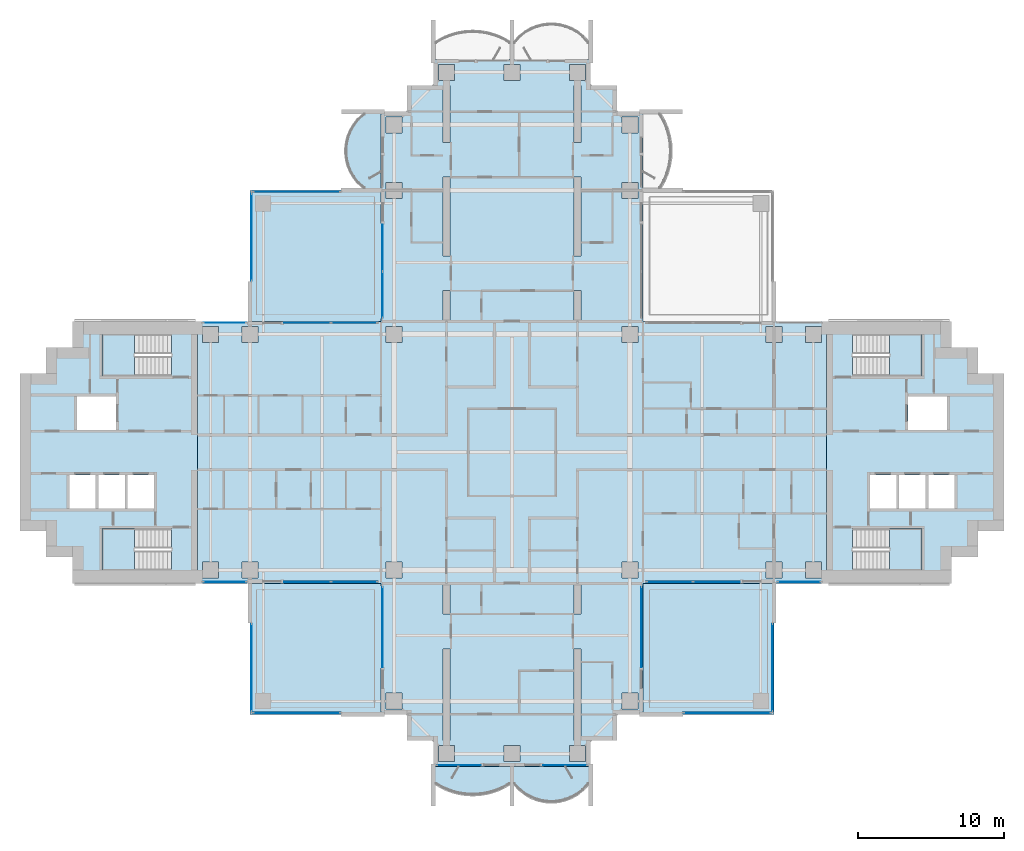
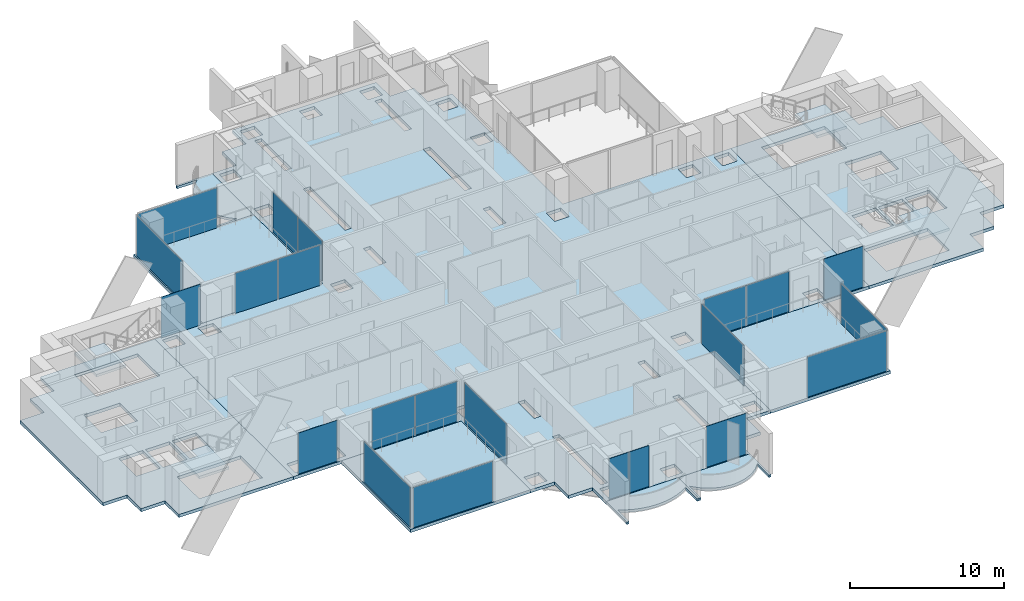
# One storey, part 7 of 19: 21 plates, 13 slabs, 21 elements without a shape of their own.
"""IFC4 building model written with IfcOpenShell, lengths in metres."""

from ifc_helpers import new_model, si_unit, direction, frame, origin, origin_2d, place, context, subcontext, project, spatial, polyline, rectangle, outline, extrude, material, layer, layer_set, type_object, element, aggregate, save


model = new_model("IFC4")

# Units and contexts
model_context = context("Model", 3, precision=1e-05, world=origin(), true_north=direction((0.0, 1.0)))
body_context = subcontext(model_context, "Body", "Model", "MODEL_VIEW")
ifc_project = project(units=[si_unit("LENGTHUNIT", "METRE"), si_unit("AREAUNIT", "SQUARE_METRE"), si_unit("VOLUMEUNIT", "CUBIC_METRE"), si_unit("PLANEANGLEUNIT", "RADIAN"), si_unit("MASSUNIT", "GRAM", prefix="KILO")], contexts=[model_context])

# Site, building, storey
site_placement = place(None, origin())
site = spatial("IfcSite", under=ifc_project, at=site_placement, CompositionType="ELEMENT")
building_placement = place(site_placement, origin())
building = spatial("IfcBuilding", under=site, at=building_placement, Name="Perihelion Cross Residences", CompositionType="ELEMENT")
storey_placement = place(building_placement, frame((0.0, 0.0, 147.89990234375)))
storey = spatial("IfcBuildingStorey", under=building, at=storey_placement, Name="L36", CompositionType="ELEMENT", Elevation=147.89990234375)

# Slabs
ifc_material_1 = material(Name="Concrete C40/50", Category="concrete")
ifc_layer_1 = layer(ifc_material_1, 0.199951171875)
ifc_layer_set_1 = layer_set([ifc_layer_1], Name="Balcony slab 200")
slab_type_1 = type_object("IfcSlabType", Name="Balcony slab 200", PredefinedType="FLOOR", material=ifc_layer_set_1)
slab_1_placement = place(storey_placement, frame((0.0, 0.0, -0.199951171875)))
element("IfcSlab", 1, at=slab_1_placement, inside=storey, type_object=slab_type_1, Name="Slab BK1 L36 north side west bay 1 balcony", PredefinedType="FLOOR", context=body_context, shape_type="SweptSolid", body=[
    extrude(outline(polyline([(-9.0, 23.39990234375), (-9.0, 18.0), (-11.699951171875, 18.0), (-11.699951171875, 18.14990234375), (-10.199951171875, 18.14990234375), (-10.622314453125, 18.542236328125), (-10.924072265625, 18.9345703125), (-11.143310546875, 19.326904296875), (-11.29736328125, 19.71923828125), (-11.39599609375, 20.111572265625), (-11.444091796875, 20.50390625), (-11.444091796875, 20.896240234375), (-11.39599609375, 21.28857421875), (-11.29736328125, 21.6806640625), (-11.143310546875, 22.072998046875), (-10.924072265625, 22.46533203125), (-10.622314453125, 22.857666015625), (-10.199951171875, 23.25), (-11.699951171875, 23.25), (-11.699951171875, 23.39990234375), (-9.0, 23.39990234375)])), origin(), (0.0, 0.0, 1.0), 0.199951171875),
])
slab_2_placement = place(storey_placement, frame((0.0, 0.0, -0.199951171875)))
element("IfcSlab", 2, at=slab_2_placement, inside=storey, type_object=slab_type_1, Name="Slab BK1 L36 south tip south bay 1 balcony", PredefinedType="FLOOR", context=body_context, shape_type="SweptSolid", body=[
    extrude(outline(polyline([(-5.39990234375, -21.60009765625), (0.0, -21.60009765625), (0.0, -24.300048828125), (-0.14990234375, -24.300048828125), (-0.14990234375, -22.800048828125), (-0.659912109375, -23.085205078125), (-1.169921875, -23.294677734375), (-1.679931640625, -23.438232421875), (-2.18994140625, -23.522216796875), (-2.699951171875, -23.550048828125), (-3.2099609375, -23.522216796875), (-3.719970703125, -23.438232421875), (-4.22998046875, -23.294677734375), (-4.739990234375, -23.085205078125), (-5.25, -22.800048828125), (-5.25, -24.300048828125), (-5.39990234375, -24.300048828125), (-5.39990234375, -21.60009765625)])), origin(), (0.0, 0.0, 1.0), 0.199951171875),
])
slab_3_placement = place(storey_placement, frame((0.0, 0.0, -0.199951171875)))
element("IfcSlab", 3, at=slab_3_placement, inside=storey, type_object=slab_type_1, Name="Slab BK1 L36 south tip south bay 2 balcony", PredefinedType="FLOOR", context=body_context, shape_type="SweptSolid", body=[
    extrude(outline(polyline([(0.0, -21.60009765625), (5.39990234375, -21.60009765625), (5.39990234375, -24.300048828125), (5.25, -24.300048828125), (5.25, -22.800048828125), (4.857666015625, -23.22216796875), (4.46533203125, -23.524169921875), (4.072998046875, -23.7431640625), (3.6806640625, -23.897216796875), (3.28857421875, -23.995849609375), (2.896240234375, -24.0439453125), (2.50390625, -24.0439453125), (2.111572265625, -23.995849609375), (1.71923828125, -23.897216796875), (1.326904296875, -23.7431640625), (0.9345703125, -23.524169921875), (0.542236328125, -23.22216796875), (0.14990234375, -22.800048828125), (0.14990234375, -24.300048828125), (0.0, -24.300048828125), (0.0, -21.60009765625)])), origin(), (0.0, 0.0, 1.0), 0.199951171875),
])

# Curtain wall, plates
ifc_material_2 = material(Name="Bronze anodised aluminium, tinted glazing", Category="aluminium")
curtain_wall_type_1 = type_object("IfcCurtainWallType", Name="CW1", PredefinedType="NOTDEFINED", material=ifc_material_2)
curtain_wall_1_placement = place(storey_placement, origin())
curtain_wall_1 = element("IfcCurtainWall", 4, at=curtain_wall_1_placement, inside=storey, type_object=curtain_wall_type_1, Name="Curtain wall CW1 L36 north side west bay 2", PredefinedType="NOTDEFINED")
ifc_material_3 = material(Name="Tinted laminated glass", Category="glass")
ifc_layer_2 = layer(ifc_material_3, 0.028076171875)
ifc_layer_set_2 = layer_set([ifc_layer_2], Name="CW1 panel")
plate_type_1 = type_object("IfcPlateType", Name="CW1 panel", PredefinedType="CURTAIN_PANEL", material=ifc_layer_set_2)
plate_1_placement = place(storey_placement, frame((-8.89990234375, 14.052490234375, 0.000244140625), z_axis=(0.0, 0.0, 1.0), x_axis=(0.0, -1.0, 0.0)))
plate_1 = element("IfcPlate", 5, at=plate_1_placement, type_object=plate_type_1, Name="CW1 panel 1", PredefinedType="CURTAIN_PANEL", context=body_context, shape_type="SweptSolid", body=[
    extrude(rectangle(XDim=3.195068359375, YDim=0.028076171875, at=origin_2d()), origin(), (0.0, 0.0, 1.0), 3.18994140625),
])
plate_2_placement = place(storey_placement, frame((-8.89990234375, 10.827392578125, 0.000244140625), z_axis=(0.0, 0.0, 1.0), x_axis=(0.0, -1.0, 0.0)))
plate_2 = element("IfcPlate", 6, at=plate_2_placement, type_object=plate_type_1, Name="CW1 panel 2", PredefinedType="CURTAIN_PANEL", context=body_context, shape_type="SweptSolid", body=[
    extrude(rectangle(XDim=3.135009765625, YDim=0.028076171875, at=origin_2d()), origin(), (0.0, 0.0, 1.0), 3.18994140625),
])
aggregate(curtain_wall_1, [plate_1, plate_2])

curtain_wall_2_placement = place(storey_placement, origin())
curtain_wall_2 = element("IfcCurtainWall", 7, at=curtain_wall_2_placement, inside=storey, type_object=curtain_wall_type_1, Name="Curtain wall CW1 L36 west side north bay 1", PredefinedType="NOTDEFINED")
plate_3_placement = place(storey_placement, frame((-10.827392578125, 8.89990234375, 0.000244140625), z_axis=(0.0, 0.0, 1.0), x_axis=(-1.0, 0.0, 0.0)))
plate_3 = element("IfcPlate", 8, at=plate_3_placement, type_object=plate_type_1, Name="CW1 panel 1", PredefinedType="CURTAIN_PANEL", context=body_context, shape_type="SweptSolid", body=[
    extrude(rectangle(XDim=3.135009765625, YDim=0.028076171875, at=origin_2d()), origin(), (0.0, 0.0, 1.0), 3.18994140625),
])
plate_4_placement = place(storey_placement, frame((-14.052490234375, 8.89990234375, 0.000244140625), z_axis=(0.0, 0.0, 1.0), x_axis=(-1.0, 0.0, 0.0)))
plate_4 = element("IfcPlate", 9, at=plate_4_placement, type_object=plate_type_1, Name="CW1 panel 2", PredefinedType="CURTAIN_PANEL", context=body_context, shape_type="SweptSolid", body=[
    extrude(rectangle(XDim=3.195068359375, YDim=0.028076171875, at=origin_2d()), origin(), (0.0, 0.0, 1.0), 3.18994140625),
])
aggregate(curtain_wall_2, [plate_3, plate_4])

# Curtain wall, plate
curtain_wall_3_placement = place(storey_placement, origin())
curtain_wall_3 = element("IfcCurtainWall", 10, at=curtain_wall_3_placement, inside=storey, type_object=curtain_wall_type_1, Name="Curtain wall CW1 L36 west side north bay 2", PredefinedType="NOTDEFINED")
plate_5_placement = place(storey_placement, frame((-19.72509765625, 8.89990234375, 0.0), z_axis=(0.0, 0.0, 1.0), x_axis=(-1.0, 0.0, 0.0)))
plate_5 = element("IfcPlate", 11, at=plate_5_placement, type_object=plate_type_1, Name="CW1 panel 1", PredefinedType="CURTAIN_PANEL", context=body_context, shape_type="SweptSolid", body=[
    extrude(rectangle(XDim=2.929931640625, YDim=0.028076171875, at=origin_2d()), origin(), (0.0, 0.0, 1.0), 3.25),
])
aggregate(curtain_wall_3, [plate_5])

curtain_wall_4_placement = place(storey_placement, origin())
curtain_wall_4 = element("IfcCurtainWall", 12, at=curtain_wall_4_placement, inside=storey, type_object=curtain_wall_type_1, Name="Curtain wall CW1 L36 west side south bay 1", PredefinedType="NOTDEFINED")
plate_6_placement = place(storey_placement, frame((-19.72509765625, -8.89990234375, 0.0), z_axis=(0.0, 0.0, 1.0), x_axis=(1.0, 0.0, 0.0)))
plate_6 = element("IfcPlate", 13, at=plate_6_placement, type_object=plate_type_1, Name="CW1 panel 1", PredefinedType="CURTAIN_PANEL", context=body_context, shape_type="SweptSolid", body=[
    extrude(rectangle(XDim=2.929931640625, YDim=0.028076171875, at=origin_2d()), origin(), (0.0, 0.0, 1.0), 3.25),
])
aggregate(curtain_wall_4, [plate_6])

# Curtain wall, plates
curtain_wall_5_placement = place(storey_placement, origin())
curtain_wall_5 = element("IfcCurtainWall", 14, at=curtain_wall_5_placement, inside=storey, type_object=curtain_wall_type_1, Name="Curtain wall CW1 L36 west side south bay 2", PredefinedType="NOTDEFINED")
plate_7_placement = place(storey_placement, frame((-14.052490234375, -8.89990234375, 0.000244140625), z_axis=(0.0, 0.0, 1.0), x_axis=(1.0, 0.0, 0.0)))
plate_7 = element("IfcPlate", 15, at=plate_7_placement, type_object=plate_type_1, Name="CW1 panel 1", PredefinedType="CURTAIN_PANEL", context=body_context, shape_type="SweptSolid", body=[
    extrude(rectangle(XDim=3.195068359375, YDim=0.028076171875, at=origin_2d()), origin(), (0.0, 0.0, 1.0), 3.18994140625),
])
plate_8_placement = place(storey_placement, frame((-10.827392578125, -8.89990234375, 0.000244140625), z_axis=(0.0, 0.0, 1.0), x_axis=(1.0, 0.0, 0.0)))
plate_8 = element("IfcPlate", 16, at=plate_8_placement, type_object=plate_type_1, Name="CW1 panel 2", PredefinedType="CURTAIN_PANEL", context=body_context, shape_type="SweptSolid", body=[
    extrude(rectangle(XDim=3.135009765625, YDim=0.028076171875, at=origin_2d()), origin(), (0.0, 0.0, 1.0), 3.18994140625),
])
aggregate(curtain_wall_5, [plate_7, plate_8])

# Curtain wall, plate
curtain_wall_6_placement = place(storey_placement, origin())
curtain_wall_6 = element("IfcCurtainWall", 17, at=curtain_wall_6_placement, inside=storey, type_object=curtain_wall_type_1, Name="Curtain wall CW1 L36 south side west bay 1", PredefinedType="NOTDEFINED")
plate_9_placement = place(storey_placement, frame((-8.89990234375, -12.0048828125, 0.000244140625), z_axis=(0.0, 0.0, 1.0), x_axis=(0.0, -1.0, 0.0)))
plate_9 = element("IfcPlate", 18, at=plate_9_placement, type_object=plate_type_1, Name="CW1 panel 1", PredefinedType="CURTAIN_PANEL", context=body_context, shape_type="SweptSolid", body=[
    extrude(rectangle(XDim=5.489990234375, YDim=0.028076171875, at=origin_2d()), origin(), (0.0, 0.0, 1.0), 3.18994140625),
])
aggregate(curtain_wall_6, [plate_9])

curtain_wall_7_placement = place(storey_placement, origin())
curtain_wall_7 = element("IfcCurtainWall", 19, at=curtain_wall_7_placement, inside=storey, type_object=curtain_wall_type_1, Name="Curtain wall CW1 L36 south tip south bay 1", PredefinedType="NOTDEFINED")
plate_10_placement = place(storey_placement, frame((-3.64501953125, -21.5, 0.0), z_axis=(0.0, 0.0, 1.0), x_axis=(1.0, 0.0, 0.0)))
plate_10 = element("IfcPlate", 20, at=plate_10_placement, type_object=plate_type_1, Name="CW1 panel 1", PredefinedType="CURTAIN_PANEL", context=body_context, shape_type="SweptSolid", body=[
    extrude(rectangle(XDim=2.989990234375, YDim=0.028076171875, at=origin_2d()), origin(), (0.0, 0.0, 1.0), 3.25),
])
aggregate(curtain_wall_7, [plate_10])

curtain_wall_8_placement = place(storey_placement, origin())
curtain_wall_8 = element("IfcCurtainWall", 21, at=curtain_wall_8_placement, inside=storey, type_object=curtain_wall_type_1, Name="Curtain wall CW1 L36 south tip south bay 2", PredefinedType="NOTDEFINED")
plate_11_placement = place(storey_placement, frame((3.64501953125, -21.5, 0.0), z_axis=(0.0, 0.0, 1.0), x_axis=(1.0, 0.0, 0.0)))
plate_11 = element("IfcPlate", 22, at=plate_11_placement, type_object=plate_type_1, Name="CW1 panel 1", PredefinedType="CURTAIN_PANEL", context=body_context, shape_type="SweptSolid", body=[
    extrude(rectangle(XDim=2.989990234375, YDim=0.028076171875, at=origin_2d()), origin(), (0.0, 0.0, 1.0), 3.25),
])
aggregate(curtain_wall_8, [plate_11])

curtain_wall_9_placement = place(storey_placement, origin())
curtain_wall_9 = element("IfcCurtainWall", 23, at=curtain_wall_9_placement, inside=storey, type_object=curtain_wall_type_1, Name="Curtain wall CW1 L36 south side east bay 1", PredefinedType="NOTDEFINED")
plate_12_placement = place(storey_placement, frame((8.89990234375, -12.0048828125, 0.000244140625), z_axis=(0.0, 0.0, 1.0), x_axis=(0.0, 1.0, 0.0)))
plate_12 = element("IfcPlate", 24, at=plate_12_placement, type_object=plate_type_1, Name="CW1 panel 1", PredefinedType="CURTAIN_PANEL", context=body_context, shape_type="SweptSolid", body=[
    extrude(rectangle(XDim=5.489990234375, YDim=0.028076171875, at=origin_2d()), origin(), (0.0, 0.0, 1.0), 3.18994140625),
])
aggregate(curtain_wall_9, [plate_12])

# Curtain wall, plates
curtain_wall_10_placement = place(storey_placement, origin())
curtain_wall_10 = element("IfcCurtainWall", 25, at=curtain_wall_10_placement, inside=storey, type_object=curtain_wall_type_1, Name="Curtain wall CW1 L36 east side south bay 1", PredefinedType="NOTDEFINED")
plate_13_placement = place(storey_placement, frame((10.827392578125, -8.89990234375, 0.000244140625), z_axis=(0.0, 0.0, 1.0), x_axis=(1.0, 0.0, 0.0)))
plate_13 = element("IfcPlate", 26, at=plate_13_placement, type_object=plate_type_1, Name="CW1 panel 1", PredefinedType="CURTAIN_PANEL", context=body_context, shape_type="SweptSolid", body=[
    extrude(rectangle(XDim=3.135009765625, YDim=0.028076171875, at=origin_2d()), origin(), (0.0, 0.0, 1.0), 3.18994140625),
])
plate_14_placement = place(storey_placement, frame((14.052490234375, -8.89990234375, 0.000244140625), z_axis=(0.0, 0.0, 1.0), x_axis=(1.0, 0.0, 0.0)))
plate_14 = element("IfcPlate", 27, at=plate_14_placement, type_object=plate_type_1, Name="CW1 panel 2", PredefinedType="CURTAIN_PANEL", context=body_context, shape_type="SweptSolid", body=[
    extrude(rectangle(XDim=3.195068359375, YDim=0.028076171875, at=origin_2d()), origin(), (0.0, 0.0, 1.0), 3.18994140625),
])
aggregate(curtain_wall_10, [plate_13, plate_14])

# Curtain wall, plate
curtain_wall_11_placement = place(storey_placement, origin())
curtain_wall_11 = element("IfcCurtainWall", 28, at=curtain_wall_11_placement, inside=storey, type_object=curtain_wall_type_1, Name="Curtain wall CW1 L36 east side south bay 2", PredefinedType="NOTDEFINED")
plate_15_placement = place(storey_placement, frame((19.72509765625, -8.89990234375, 0.0), z_axis=(0.0, 0.0, 1.0), x_axis=(1.0, 0.0, 0.0)))
plate_15 = element("IfcPlate", 29, at=plate_15_placement, type_object=plate_type_1, Name="CW1 panel 1", PredefinedType="CURTAIN_PANEL", context=body_context, shape_type="SweptSolid", body=[
    extrude(rectangle(XDim=2.929931640625, YDim=0.028076171875, at=origin_2d()), origin(), (0.0, 0.0, 1.0), 3.25),
])
aggregate(curtain_wall_11, [plate_15])

ifc_material_4 = material(Name="Bronze anodised aluminium, tinted glazing", Category="aluminium")
curtain_wall_type_2 = type_object("IfcCurtainWallType", Name="CW4", PredefinedType="NOTDEFINED", material=ifc_material_4)
curtain_wall_12_placement = place(storey_placement, origin())
curtain_wall_12 = element("IfcCurtainWall", 30, at=curtain_wall_12_placement, inside=storey, type_object=curtain_wall_type_2, Name="Curtain wall CW4 L36 pocket north-west 1 1", PredefinedType="NOTDEFINED")
ifc_material_5 = material(Name="Tinted laminated glass", Category="glass")
ifc_layer_3 = layer(ifc_material_5, 0.030029296875)
ifc_layer_set_3 = layer_set([ifc_layer_3], Name="CW4 panel")
plate_type_2 = type_object("IfcPlateType", Name="CW4 panel", PredefinedType="CURTAIN_PANEL", material=ifc_layer_set_3)
plate_16_placement = place(storey_placement, frame((-17.89990234375, 14.784912109375, 0.000244140625), z_axis=(0.0, 0.0, 1.0), x_axis=(0.0, 1.0, 0.0)))
plate_16 = element("IfcPlate", 31, at=plate_16_placement, type_object=plate_type_2, Name="CW4 panel 1", PredefinedType="CURTAIN_PANEL", context=body_context, shape_type="SweptSolid", body=[
    extrude(rectangle(XDim=5.969970703125, YDim=0.030029296875, at=origin_2d()), origin(), (0.0, 0.0, 1.0), 3.18994140625),
])
aggregate(curtain_wall_12, [plate_16])

curtain_wall_13_placement = place(storey_placement, origin())
curtain_wall_13 = element("IfcCurtainWall", 32, at=curtain_wall_13_placement, inside=storey, type_object=curtain_wall_type_2, Name="Curtain wall CW4 L36 pocket north-west 1 2", PredefinedType="NOTDEFINED")
plate_17_placement = place(storey_placement, frame((-14.784912109375, 17.89990234375, 0.000244140625), z_axis=(0.0, 0.0, 1.0), x_axis=(1.0, 0.0, 0.0)))
plate_17 = element("IfcPlate", 33, at=plate_17_placement, type_object=plate_type_2, Name="CW4 panel 1", PredefinedType="CURTAIN_PANEL", context=body_context, shape_type="SweptSolid", body=[
    extrude(rectangle(XDim=5.969970703125, YDim=0.030029296875, at=origin_2d()), origin(), (0.0, 0.0, 1.0), 3.18994140625),
])
aggregate(curtain_wall_13, [plate_17])

curtain_wall_14_placement = place(storey_placement, origin())
curtain_wall_14 = element("IfcCurtainWall", 34, at=curtain_wall_14_placement, inside=storey, type_object=curtain_wall_type_2, Name="Curtain wall CW4 L36 pocket south-east 1 1", PredefinedType="NOTDEFINED")
plate_18_placement = place(storey_placement, frame((17.89990234375, -14.784912109375, 0.000244140625), z_axis=(0.0, 0.0, 1.0), x_axis=(0.0, -1.0, 0.0)))
plate_18 = element("IfcPlate", 35, at=plate_18_placement, type_object=plate_type_2, Name="CW4 panel 1", PredefinedType="CURTAIN_PANEL", context=body_context, shape_type="SweptSolid", body=[
    extrude(rectangle(XDim=5.969970703125, YDim=0.030029296875, at=origin_2d()), origin(), (0.0, 0.0, 1.0), 3.18994140625),
])
aggregate(curtain_wall_14, [plate_18])

curtain_wall_15_placement = place(storey_placement, origin())
curtain_wall_15 = element("IfcCurtainWall", 36, at=curtain_wall_15_placement, inside=storey, type_object=curtain_wall_type_2, Name="Curtain wall CW4 L36 pocket south-east 1 2", PredefinedType="NOTDEFINED")
plate_19_placement = place(storey_placement, frame((14.784912109375, -17.89990234375, 0.000244140625), z_axis=(0.0, 0.0, 1.0), x_axis=(-1.0, 0.0, 0.0)))
plate_19 = element("IfcPlate", 37, at=plate_19_placement, type_object=plate_type_2, Name="CW4 panel 1", PredefinedType="CURTAIN_PANEL", context=body_context, shape_type="SweptSolid", body=[
    extrude(rectangle(XDim=5.969970703125, YDim=0.030029296875, at=origin_2d()), origin(), (0.0, 0.0, 1.0), 3.18994140625),
])
aggregate(curtain_wall_15, [plate_19])

curtain_wall_16_placement = place(storey_placement, origin())
curtain_wall_16 = element("IfcCurtainWall", 38, at=curtain_wall_16_placement, inside=storey, type_object=curtain_wall_type_2, Name="Curtain wall CW4 L36 pocket south-west 1 1", PredefinedType="NOTDEFINED")
plate_20_placement = place(storey_placement, frame((-14.784912109375, -17.89990234375, 0.000244140625), z_axis=(0.0, 0.0, 1.0), x_axis=(-1.0, 0.0, 0.0)))
plate_20 = element("IfcPlate", 39, at=plate_20_placement, type_object=plate_type_2, Name="CW4 panel 1", PredefinedType="CURTAIN_PANEL", context=body_context, shape_type="SweptSolid", body=[
    extrude(rectangle(XDim=5.969970703125, YDim=0.030029296875, at=origin_2d()), origin(), (0.0, 0.0, 1.0), 3.18994140625),
])
aggregate(curtain_wall_16, [plate_20])

curtain_wall_17_placement = place(storey_placement, origin())
curtain_wall_17 = element("IfcCurtainWall", 40, at=curtain_wall_17_placement, inside=storey, type_object=curtain_wall_type_2, Name="Curtain wall CW4 L36 pocket south-west 1 2", PredefinedType="NOTDEFINED")
plate_21_placement = place(storey_placement, frame((-17.89990234375, -14.784912109375, 0.000244140625), z_axis=(0.0, 0.0, 1.0), x_axis=(0.0, 1.0, 0.0)))
plate_21 = element("IfcPlate", 41, at=plate_21_placement, type_object=plate_type_2, Name="CW4 panel 1", PredefinedType="CURTAIN_PANEL", context=body_context, shape_type="SweptSolid", body=[
    extrude(rectangle(XDim=5.969970703125, YDim=0.030029296875, at=origin_2d()), origin(), (0.0, 0.0, 1.0), 3.18994140625),
])
aggregate(curtain_wall_17, [plate_21])

# Slabs
ifc_material_6 = material(Name="Concrete C40/50", Category="concrete")
ifc_layer_4 = layer(ifc_material_6, 0.25)
ifc_layer_set_4 = layer_set([ifc_layer_4], Name="Core floor slab 250")
slab_type_2 = type_object("IfcSlabType", Name="Core floor slab 250", PredefinedType="FLOOR", material=ifc_layer_set_4)
slab_4_placement = place(storey_placement, frame((0.0, 0.0, -0.25)))
element("IfcSlab", 42, at=slab_4_placement, inside=storey, type_object=slab_type_2, Name="East core floor slab", PredefinedType="FLOOR", context=body_context, shape_type="SweptSolid", body=[
    extrude(outline(polyline([(30.199951171875, 7.199951171875), (32.0, 7.199951171875), (32.0, 5.39990234375), (33.800048828125, 5.39990234375), (33.800048828125, -5.39990234375), (32.0, -5.39990234375), (32.0, -7.199951171875), (30.199951171875, -7.199951171875), (30.199951171875, -9.0), (21.60009765625, -9.0), (21.60009765625, 9.0), (30.199951171875, 9.0), (30.199951171875, 7.199951171875)]), holes=[polyline([(28.14990234375, -8.10009765625), (28.14990234375, -5.25), (23.405029296875, -5.25), (23.405029296875, -8.10009765625), (28.14990234375, -8.10009765625)]), polyline([(24.60009765625, -1.550048828125), (24.60009765625, -3.85009765625), (26.39990234375, -3.85009765625), (26.39990234375, -1.550048828125), (24.60009765625, -1.550048828125)]), polyline([(26.60009765625, -1.550048828125), (26.60009765625, -3.85009765625), (28.39990234375, -3.85009765625), (28.39990234375, -1.550048828125), (26.60009765625, -1.550048828125)]), polyline([(28.60009765625, -3.85009765625), (30.39990234375, -3.85009765625), (30.39990234375, -1.550048828125), (28.60009765625, -1.550048828125), (28.60009765625, -3.85009765625)]), polyline([(27.199951171875, 3.85009765625), (27.199951171875, 1.550048828125), (29.89990234375, 1.550048828125), (29.89990234375, 3.85009765625), (27.199951171875, 3.85009765625)]), polyline([(23.405029296875, 5.25), (28.14990234375, 5.25), (28.14990234375, 8.10009765625), (23.405029296875, 8.10009765625), (23.405029296875, 5.25)])]), origin(), (0.0, 0.0, 1.0), 0.25),
])
slab_5_placement = place(storey_placement, frame((0.0, 0.0, -0.25)))
element("IfcSlab", 43, at=slab_5_placement, inside=storey, type_object=slab_type_2, Name="West core floor slab", PredefinedType="FLOOR", context=body_context, shape_type="SweptSolid", body=[
    extrude(outline(polyline([(-30.199951171875, 7.199951171875), (-32.0, 7.199951171875), (-32.0, 5.39990234375), (-33.800048828125, 5.39990234375), (-33.800048828125, -5.39990234375), (-32.0, -5.39990234375), (-32.0, -7.199951171875), (-30.199951171875, -7.199951171875), (-30.199951171875, -9.0), (-21.60009765625, -9.0), (-21.60009765625, 9.0), (-30.199951171875, 9.0), (-30.199951171875, 7.199951171875)]), holes=[polyline([(-28.14990234375, -8.10009765625), (-28.14990234375, -5.25), (-23.405029296875, -5.25), (-23.405029296875, -8.10009765625), (-28.14990234375, -8.10009765625)]), polyline([(-24.60009765625, -1.550048828125), (-24.60009765625, -3.85009765625), (-26.39990234375, -3.85009765625), (-26.39990234375, -1.550048828125), (-24.60009765625, -1.550048828125)]), polyline([(-26.60009765625, -1.550048828125), (-26.60009765625, -3.85009765625), (-28.39990234375, -3.85009765625), (-28.39990234375, -1.550048828125), (-26.60009765625, -1.550048828125)]), polyline([(-28.60009765625, -3.85009765625), (-30.39990234375, -3.85009765625), (-30.39990234375, -1.550048828125), (-28.60009765625, -1.550048828125), (-28.60009765625, -3.85009765625)]), polyline([(-27.199951171875, 3.85009765625), (-27.199951171875, 1.550048828125), (-29.89990234375, 1.550048828125), (-29.89990234375, 3.85009765625), (-27.199951171875, 3.85009765625)]), polyline([(-23.405029296875, 5.25), (-28.14990234375, 5.25), (-28.14990234375, 8.10009765625), (-23.405029296875, 8.10009765625), (-23.405029296875, 5.25)])]), origin(), (0.0, 0.0, 1.0), 0.25),
])

# Stair, slab
ifc_material_7 = material(Name="Concrete C40/50", Category="concrete")
stair_type = type_object("IfcStairType", Name="Exit stair, half-turn", PredefinedType="HALF_TURN_STAIR", material=ifc_material_7)
stair_1_placement = place(storey_placement, origin())
stair_1 = element("IfcStair", 44, at=stair_1_placement, inside=storey, type_object=stair_type, Name="L36 East core exit stair 1", PredefinedType="HALF_TURN_STAIR")
ifc_material_8 = material(Name="Concrete C40/50", Category="concrete")
ifc_layer_5 = layer(ifc_material_8, 0.199951171875)
ifc_layer_set_5 = layer_set([ifc_layer_5], Name="Exit stair landing 200")
slab_type_3 = type_object("IfcSlabType", Name="Exit stair landing 200", PredefinedType="LANDING", material=ifc_layer_set_5)
slab_6_placement = place(storey_placement, frame((0.0, 0.0, 1.550048828125)))
slab_6 = element("IfcSlab", 45, at=slab_6_placement, type_object=slab_type_3, Name="ST-E1 landing 1", PredefinedType="LANDING", context=body_context, shape_type="SweptSolid", body=[
    extrude(outline(polyline([(25.919921875, 5.25), (28.14990234375, 5.25), (28.14990234375, 8.10009765625), (25.919921875, 8.10009765625), (25.919921875, 5.25)])), origin(), (0.0, 0.0, 1.0), 0.199951171875),
])
aggregate(stair_1, [slab_6])

stair_2_placement = place(storey_placement, origin())
stair_2 = element("IfcStair", 46, at=stair_2_placement, inside=storey, type_object=stair_type, Name="L36 East core exit stair 2", PredefinedType="HALF_TURN_STAIR")
slab_7_placement = place(storey_placement, frame((0.0, 0.0, 1.550048828125)))
slab_7 = element("IfcSlab", 47, at=slab_7_placement, type_object=slab_type_3, Name="ST-E2 landing 1", PredefinedType="LANDING", context=body_context, shape_type="SweptSolid", body=[
    extrude(outline(polyline([(25.919921875, -8.10009765625), (28.14990234375, -8.10009765625), (28.14990234375, -5.25), (25.919921875, -5.25), (25.919921875, -8.10009765625)])), origin(), (0.0, 0.0, 1.0), 0.199951171875),
])
aggregate(stair_2, [slab_7])

stair_3_placement = place(storey_placement, origin())
stair_3 = element("IfcStair", 48, at=stair_3_placement, inside=storey, type_object=stair_type, Name="L36 West core exit stair 1", PredefinedType="HALF_TURN_STAIR")
slab_8_placement = place(storey_placement, frame((0.0, 0.0, 1.550048828125)))
slab_8 = element("IfcSlab", 49, at=slab_8_placement, type_object=slab_type_3, Name="ST-W1 landing 1", PredefinedType="LANDING", context=body_context, shape_type="SweptSolid", body=[
    extrude(outline(polyline([(-25.919921875, 8.10009765625), (-28.14990234375, 8.10009765625), (-28.14990234375, 5.25), (-25.919921875, 5.25), (-25.919921875, 8.10009765625)])), origin(), (0.0, 0.0, 1.0), 0.199951171875),
])
aggregate(stair_3, [slab_8])

stair_4_placement = place(storey_placement, origin())
stair_4 = element("IfcStair", 50, at=stair_4_placement, inside=storey, type_object=stair_type, Name="L36 West core exit stair 2", PredefinedType="HALF_TURN_STAIR")
slab_9_placement = place(storey_placement, frame((0.0, 0.0, 1.550048828125)))
slab_9 = element("IfcSlab", 51, at=slab_9_placement, type_object=slab_type_3, Name="ST-W2 landing 1", PredefinedType="LANDING", context=body_context, shape_type="SweptSolid", body=[
    extrude(outline(polyline([(-25.919921875, -5.25), (-28.14990234375, -5.25), (-28.14990234375, -8.10009765625), (-25.919921875, -8.10009765625), (-25.919921875, -5.25)])), origin(), (0.0, 0.0, 1.0), 0.199951171875),
])
aggregate(stair_4, [slab_9])

# Slabs
ifc_material_9 = material(Name="Concrete C50/60", Category="concrete")
ifc_layer_6 = layer(ifc_material_9, 0.25)
ifc_layer_set_6 = layer_set([ifc_layer_6], Name="Residential floor post-tensioned slab concrete C50/60")
slab_type_4 = type_object("IfcSlabType", Name="Residential floor post-tensioned slab concrete C50/60", PredefinedType="FLOOR", material=ifc_layer_set_6)
slab_10_placement = place(storey_placement, frame((0.0, 0.0, -0.25)))
element("IfcSlab", 52, at=slab_10_placement, inside=storey, type_object=slab_type_4, Name="Slab SL8 L36 1 no. 1", PredefinedType="FLOOR", context=body_context, shape_type="SweptSolid", body=[
    extrude(outline(polyline([(-9.0, 9.0), (-9.0, 23.39990234375), (-7.199951171875, 23.39990234375), (-7.199951171875, 25.199951171875), (-5.39990234375, 25.199951171875), (-5.39990234375, 27.0), (5.39990234375, 27.0), (5.39990234375, 25.199951171875), (7.199951171875, 25.199951171875), (7.199951171875, 23.39990234375), (9.0, 23.39990234375), (9.0, 9.0), (21.60009765625, 9.0), (21.60009765625, -9.0), (9.0, -9.0), (9.0, -18.0), (7.199951171875, -18.0), (7.199951171875, -19.800048828125), (5.39990234375, -19.800048828125), (5.39990234375, -21.60009765625), (-5.39990234375, -21.60009765625), (-5.39990234375, -19.800048828125), (-7.199951171875, -19.800048828125), (-7.199951171875, -18.0), (-9.0, -18.0), (-9.0, -9.0), (-21.60009765625, -9.0), (-21.60009765625, 9.0), (-9.0, 9.0)]), holes=[polyline([(0.550048828125, -21.25), (0.550048828125, -20.14990234375), (-0.550048828125, -20.14990234375), (-0.550048828125, -21.25), (0.550048828125, -21.25)]), polyline([(-3.949951171875, -21.25), (-3.949951171875, -20.14990234375), (-5.050048828125, -20.14990234375), (-5.050048828125, -21.25), (-3.949951171875, -21.25)]), polyline([(-7.550048828125, -17.64990234375), (-7.550048828125, -16.550048828125), (-8.64990234375, -16.550048828125), (-8.64990234375, -17.64990234375), (-7.550048828125, -17.64990234375)]), polyline([(-4.25, -19.800048828125), (-4.25, -13.5), (-4.75, -13.5), (-4.75, -19.800048828125), (-4.25, -19.800048828125)]), polyline([(-4.25, -11.10009765625), (-4.25, -9.0), (-4.75, -9.0), (-4.75, -11.10009765625), (-4.25, -11.10009765625)]), polyline([(-20.14990234375, -8.64990234375), (-20.14990234375, -7.550048828125), (-21.25, -7.550048828125), (-21.25, -8.64990234375), (-20.14990234375, -8.64990234375)]), polyline([(-7.550048828125, -8.64990234375), (-7.550048828125, -7.550048828125), (-8.64990234375, -7.550048828125), (-8.64990234375, -8.64990234375), (-7.550048828125, -8.64990234375)]), polyline([(-18.550048828125, -8.64990234375), (-17.449951171875, -8.64990234375), (-17.449951171875, -7.550048828125), (-18.550048828125, -7.550048828125), (-18.550048828125, -8.64990234375)]), polyline([(-7.550048828125, 7.550048828125), (-7.550048828125, 8.64990234375), (-8.64990234375, 8.64990234375), (-8.64990234375, 7.550048828125), (-7.550048828125, 7.550048828125)]), polyline([(-17.449951171875, 7.550048828125), (-17.449951171875, 8.64990234375), (-18.550048828125, 8.64990234375), (-18.550048828125, 7.550048828125), (-17.449951171875, 7.550048828125)]), polyline([(-20.14990234375, 7.550048828125), (-20.14990234375, 8.64990234375), (-21.25, 8.64990234375), (-21.25, 7.550048828125), (-20.14990234375, 7.550048828125)]), polyline([(-4.25, 9.0), (-4.25, 11.10009765625), (-4.75, 11.10009765625), (-4.75, 9.0), (-4.25, 9.0)]), polyline([(-4.25, 13.5), (-4.25, 18.89990234375), (-4.75, 18.89990234375), (-4.75, 13.5), (-4.25, 13.5)]), polyline([(-7.550048828125, 17.449951171875), (-7.550048828125, 18.550048828125), (-8.64990234375, 18.550048828125), (-8.64990234375, 17.449951171875), (-7.550048828125, 17.449951171875)]), polyline([(-7.550048828125, 21.949951171875), (-7.550048828125, 23.050048828125), (-8.64990234375, 23.050048828125), (-8.64990234375, 21.949951171875), (-7.550048828125, 21.949951171875)]), polyline([(-4.75, 21.300048828125), (-4.25, 21.300048828125), (-4.25, 25.199951171875), (-4.75, 25.199951171875), (-4.75, 21.300048828125)]), polyline([(-5.050048828125, 25.550048828125), (-3.949951171875, 25.550048828125), (-3.949951171875, 26.64990234375), (-5.050048828125, 26.64990234375), (-5.050048828125, 25.550048828125)]), polyline([(5.050048828125, -21.25), (5.050048828125, -20.14990234375), (3.949951171875, -20.14990234375), (3.949951171875, -21.25), (5.050048828125, -21.25)]), polyline([(8.64990234375, -17.64990234375), (8.64990234375, -16.550048828125), (7.550048828125, -16.550048828125), (7.550048828125, -17.64990234375), (8.64990234375, -17.64990234375)]), polyline([(4.75, -19.800048828125), (4.75, -13.5), (4.25, -13.5), (4.25, -19.800048828125), (4.75, -19.800048828125)]), polyline([(4.75, -11.10009765625), (4.75, -9.0), (4.25, -9.0), (4.25, -11.10009765625), (4.75, -11.10009765625)]), polyline([(21.25, -8.64990234375), (21.25, -7.550048828125), (20.14990234375, -7.550048828125), (20.14990234375, -8.64990234375), (21.25, -8.64990234375)]), polyline([(18.550048828125, -8.64990234375), (18.550048828125, -7.550048828125), (17.449951171875, -7.550048828125), (17.449951171875, -8.64990234375), (18.550048828125, -8.64990234375)]), polyline([(8.64990234375, -8.64990234375), (8.64990234375, -7.550048828125), (7.550048828125, -7.550048828125), (7.550048828125, -8.64990234375), (8.64990234375, -8.64990234375)]), polyline([(7.550048828125, 7.550048828125), (8.64990234375, 7.550048828125), (8.64990234375, 8.64990234375), (7.550048828125, 8.64990234375), (7.550048828125, 7.550048828125)]), polyline([(18.550048828125, 7.550048828125), (18.550048828125, 8.64990234375), (17.449951171875, 8.64990234375), (17.449951171875, 7.550048828125), (18.550048828125, 7.550048828125)]), polyline([(21.25, 7.550048828125), (21.25, 8.64990234375), (20.14990234375, 8.64990234375), (20.14990234375, 7.550048828125), (21.25, 7.550048828125)]), polyline([(4.75, 9.0), (4.75, 11.10009765625), (4.25, 11.10009765625), (4.25, 9.0), (4.75, 9.0)]), polyline([(4.75, 13.5), (4.75, 18.89990234375), (4.25, 18.89990234375), (4.25, 13.5), (4.75, 13.5)]), polyline([(8.64990234375, 17.449951171875), (8.64990234375, 18.550048828125), (7.550048828125, 18.550048828125), (7.550048828125, 17.449951171875), (8.64990234375, 17.449951171875)]), polyline([(8.64990234375, 21.949951171875), (8.64990234375, 23.050048828125), (7.550048828125, 23.050048828125), (7.550048828125, 21.949951171875), (8.64990234375, 21.949951171875)]), polyline([(4.75, 21.300048828125), (4.75, 25.199951171875), (4.25, 25.199951171875), (4.25, 21.300048828125), (4.75, 21.300048828125)]), polyline([(3.949951171875, 25.550048828125), (5.050048828125, 25.550048828125), (5.050048828125, 26.64990234375), (3.949951171875, 26.64990234375), (3.949951171875, 25.550048828125)]), polyline([(-0.550048828125, 25.550048828125), (0.550048828125, 25.550048828125), (0.550048828125, 26.64990234375), (-0.550048828125, 26.64990234375), (-0.550048828125, 25.550048828125)])]), origin(), (0.0, 0.0, 1.0), 0.25),
])
ifc_material_10 = material(Name="Concrete C40/50", Category="concrete")
ifc_layer_7 = layer(ifc_material_10, 0.25)
ifc_layer_set_7 = layer_set([ifc_layer_7], Name="Winter garden slab")
slab_type_5 = type_object("IfcSlabType", Name="Winter garden slab", PredefinedType="FLOOR", material=ifc_layer_set_7)
slab_11_placement = place(storey_placement, frame((0.0, 0.0, -0.25)))
element("IfcSlab", 53, at=slab_11_placement, inside=storey, type_object=slab_type_5, Name="Slab BK3 L36 pocket north-west", PredefinedType="FLOOR", context=body_context, shape_type="SweptSolid", body=[
    extrude(outline(polyline([(-9.0, 9.0), (-9.0, 18.0), (-18.0, 18.0), (-18.0, 9.0), (-9.0, 9.0)])), origin(), (0.0, 0.0, 1.0), 0.25),
])
slab_12_placement = place(storey_placement, frame((0.0, 0.0, -0.25)))
element("IfcSlab", 54, at=slab_12_placement, inside=storey, type_object=slab_type_5, Name="Slab BK3 L36 pocket south-west", PredefinedType="FLOOR", context=body_context, shape_type="SweptSolid", body=[
    extrude(outline(polyline([(-9.0, -18.0), (-9.0, -9.0), (-18.0, -9.0), (-18.0, -18.0), (-9.0, -18.0)])), origin(), (0.0, 0.0, 1.0), 0.25),
])
slab_13_placement = place(storey_placement, frame((0.0, 0.0, -0.25)))
element("IfcSlab", 55, at=slab_13_placement, inside=storey, type_object=slab_type_5, Name="Slab BK3 L36 pocket south-east", PredefinedType="FLOOR", context=body_context, shape_type="SweptSolid", body=[
    extrude(outline(polyline([(18.0, -18.0), (18.0, -9.0), (9.0, -9.0), (9.0, -18.0), (18.0, -18.0)])), origin(), (0.0, 0.0, 1.0), 0.25),
])

save(model, "model.ifc")
